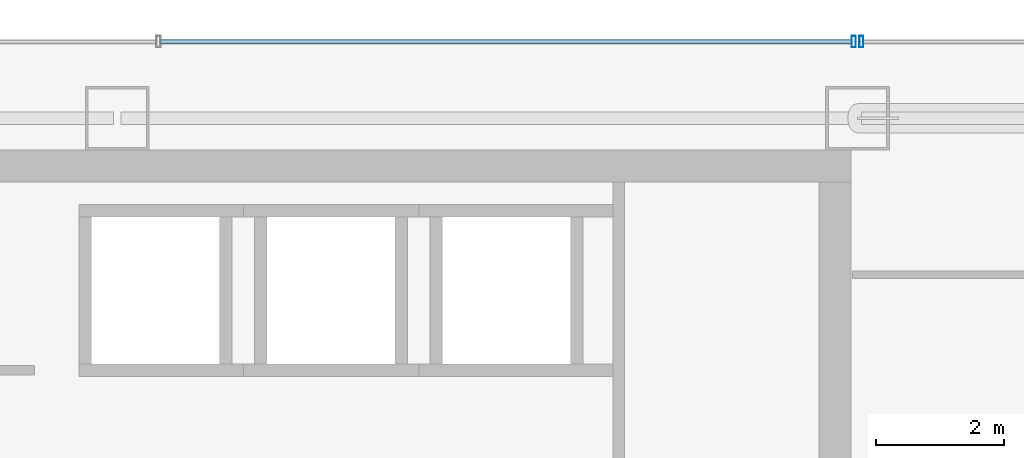
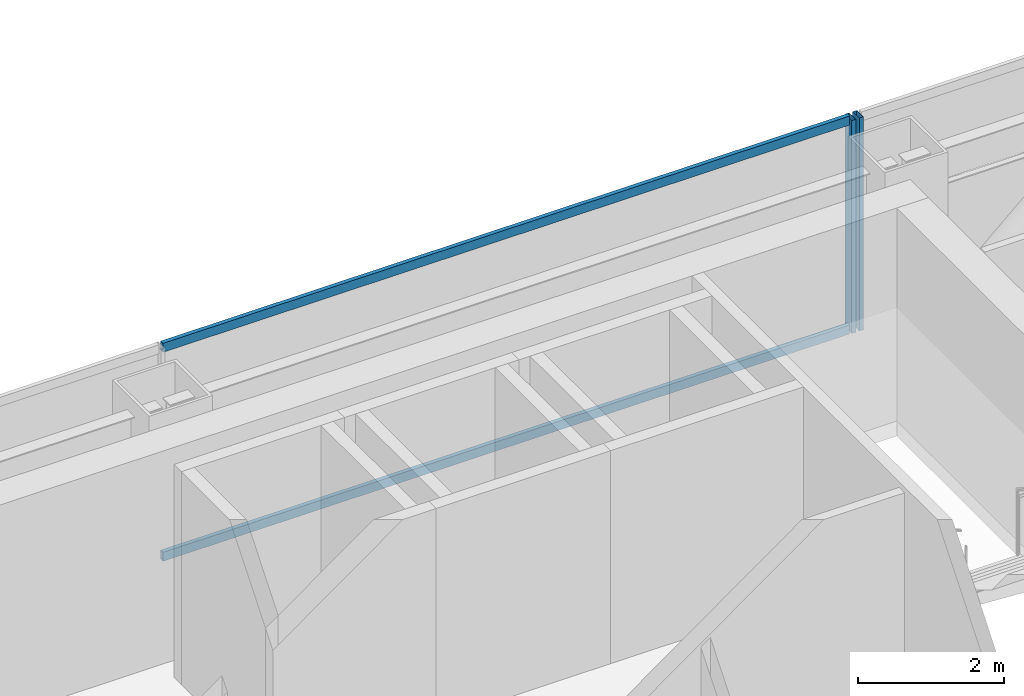
# One storey, part 28 of 38: 4 members, 2 elements without a shape of their own.
"""IFC4 building model written with IfcOpenShell, lengths in metres."""

from ifc_helpers import new_model, si_unit, direction, frame, origin, origin_2d, place, context, subcontext, project, spatial, hollow_rectangle, extrude, material, material_profile, profile_set, type_object, element, aggregate, save


model = new_model("IFC4")

# Units and contexts
model_context = context("Model", 3, precision=1e-05, world=origin(), true_north=direction((0.0, 1.0)))
body_context = subcontext(model_context, "Body", "Model", "MODEL_VIEW")
ifc_project = project(units=[si_unit("LENGTHUNIT", "METRE"), si_unit("AREAUNIT", "SQUARE_METRE"), si_unit("VOLUMEUNIT", "CUBIC_METRE"), si_unit("PLANEANGLEUNIT", "RADIAN"), si_unit("MASSUNIT", "GRAM", prefix="KILO")], contexts=[model_context])

# Site, building, storey
site_placement = place(None, origin())
site = spatial("IfcSite", under=ifc_project, at=site_placement, CompositionType="ELEMENT")
building_placement = place(site_placement, origin())
building = spatial("IfcBuilding", under=site, at=building_placement, Name="Saevonmaru Cultural Tower", CompositionType="ELEMENT")
storey_placement = place(building_placement, frame((0.0, 0.0, 133.39990234375)))
storey = spatial("IfcBuildingStorey", under=building, at=storey_placement, Name="L28", CompositionType="ELEMENT", Elevation=133.39990234375)

# Curtain wall, member
ifc_material = material(Name="Satin Bronze Anodised Aluminium", Category="aluminium")
curtain_wall_type = type_object("IfcCurtainWallType", Name="CW-TYP-A", PredefinedType="NOTDEFINED", material=ifc_material)
curtain_wall_1_placement = place(storey_placement, origin())
curtain_wall_1 = element("IfcCurtainWall", 1, at=curtain_wall_1_placement, inside=storey, type_object=curtain_wall_type, Name="L28 East Braced Bay Spandrel Curtain Wall E10A", PredefinedType="NOTDEFINED")
ifc_material_profile_1 = material_profile(ifc_material, hollow_rectangle(XDim=0.06494140625, YDim=0.179931640625, WallThickness=0.00390625, at=origin_2d()), Name="ALU-MULL-180x65x4")
ifc_profile_set_1 = profile_set([ifc_material_profile_1], Name="Satin Bronze Anodised Aluminium")
member_type_1 = type_object("IfcMemberType", Name="ML-CW-180x65", PredefinedType="MULLION", material=ifc_profile_set_1)
member_1_placement = place(storey_placement, frame((46.4599609375, 56.0, 0.0), z_axis=(0.0, 0.0, 1.0), x_axis=(-1.0, 0.0, 0.0)))
member_1 = element("IfcMember", 2, at=member_1_placement, type_object=member_type_1, Name="CW-TW-L28-E10A mullion 2", PredefinedType="MULLION", context=body_context, shape_type="SweptSolid", body=[
    extrude(hollow_rectangle(XDim=0.06494140625, YDim=0.179931640625, WallThickness=0.00390625, at=origin_2d()), origin(), (0.0, 0.0, 1.0), 3.550048828125),
])
aggregate(curtain_wall_1, [member_1])

# Curtain wall, members
curtain_wall_2_placement = place(storey_placement, origin())
curtain_wall_2 = element("IfcCurtainWall", 3, at=curtain_wall_2_placement, inside=storey, type_object=curtain_wall_type, Name="L28 North Spine Unitised Curtain Wall E10B", PredefinedType="NOTDEFINED")
member_2_placement = place(storey_placement, frame((46.340087890625, 56.0, 0.0), z_axis=(0.0, 0.0, 1.0), x_axis=(-1.0, 0.0, 0.0)))
member_2 = element("IfcMember", 4, at=member_2_placement, type_object=member_type_1, Name="CW-TW-L28-E10B mullion 1", PredefinedType="MULLION", context=body_context, shape_type="SweptSolid", body=[
    extrude(hollow_rectangle(XDim=0.06494140625, YDim=0.179931640625, WallThickness=0.00390625, at=origin_2d()), origin(), (0.0, 0.0, 1.0), 3.550048828125),
])
ifc_material_profile_2 = material_profile(ifc_material, hollow_rectangle(XDim=0.06494140625, YDim=0.14990234375, WallThickness=0.00390625, at=origin_2d()), Name="ALU-TRAN-150x65x4")
ifc_profile_set_2 = profile_set([ifc_material_profile_2], Name="Satin Bronze Anodised Aluminium")
member_type_2 = type_object("IfcMemberType", Name="TR-CW-150x65", PredefinedType="USERDEFINED", material=ifc_profile_set_2)
member_3_placement = place(storey_placement, frame((46.3076171875, 56.0, 0.03271484375), z_axis=(-1.0, 0.0, 0.0), x_axis=(0.0, -1.0, 0.0)))
member_3 = element("IfcMember", 5, at=member_3_placement, type_object=member_type_2, Name="CW-TW-L28-E10B transom 1.1", ObjectType="TRANSOM", PredefinedType="USERDEFINED", context=body_context, shape_type="SweptSolid", body=[
    extrude(hollow_rectangle(XDim=0.06494140625, YDim=0.14990234375, WallThickness=0.00390625, at=origin_2d()), origin(), (0.0, 0.0, 1.0), 10.828369140625),
])
member_4_placement = place(storey_placement, frame((46.3076171875, 56.0, 3.517578125), z_axis=(-1.0, 0.0, 0.0), x_axis=(0.0, -1.0, 0.0)))
member_4 = element("IfcMember", 6, at=member_4_placement, type_object=member_type_2, Name="CW-TW-L28-E10B transom 1.2", ObjectType="TRANSOM", PredefinedType="USERDEFINED", context=body_context, shape_type="SweptSolid", body=[
    extrude(hollow_rectangle(XDim=0.06494140625, YDim=0.14990234375, WallThickness=0.00390625, at=origin_2d()), origin(), (0.0, 0.0, 1.0), 10.828369140625),
])
aggregate(curtain_wall_2, [member_2, member_3, member_4])

save(model, "model.ifc")
